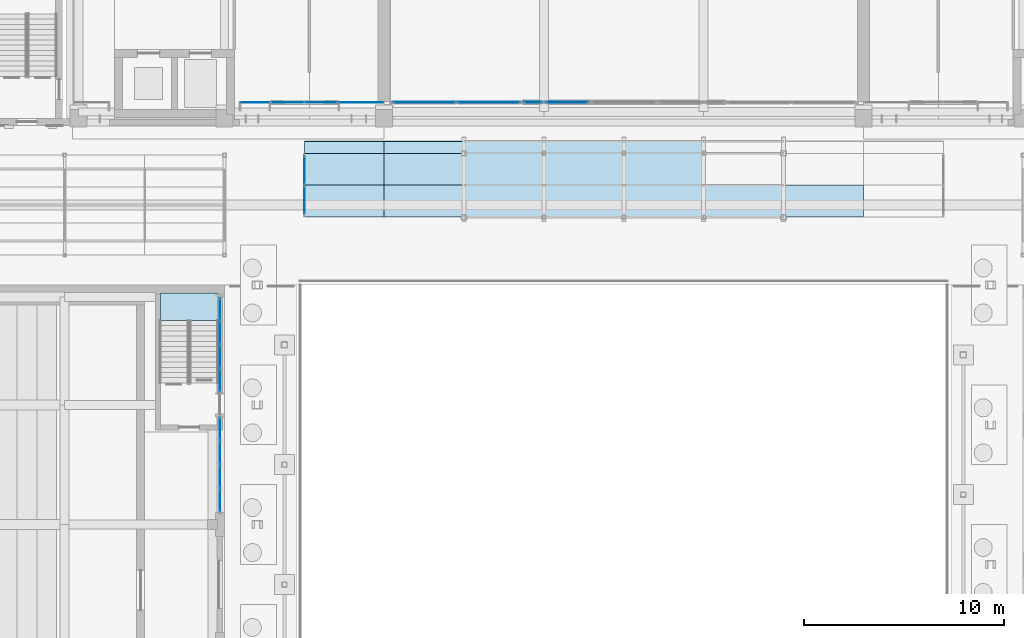
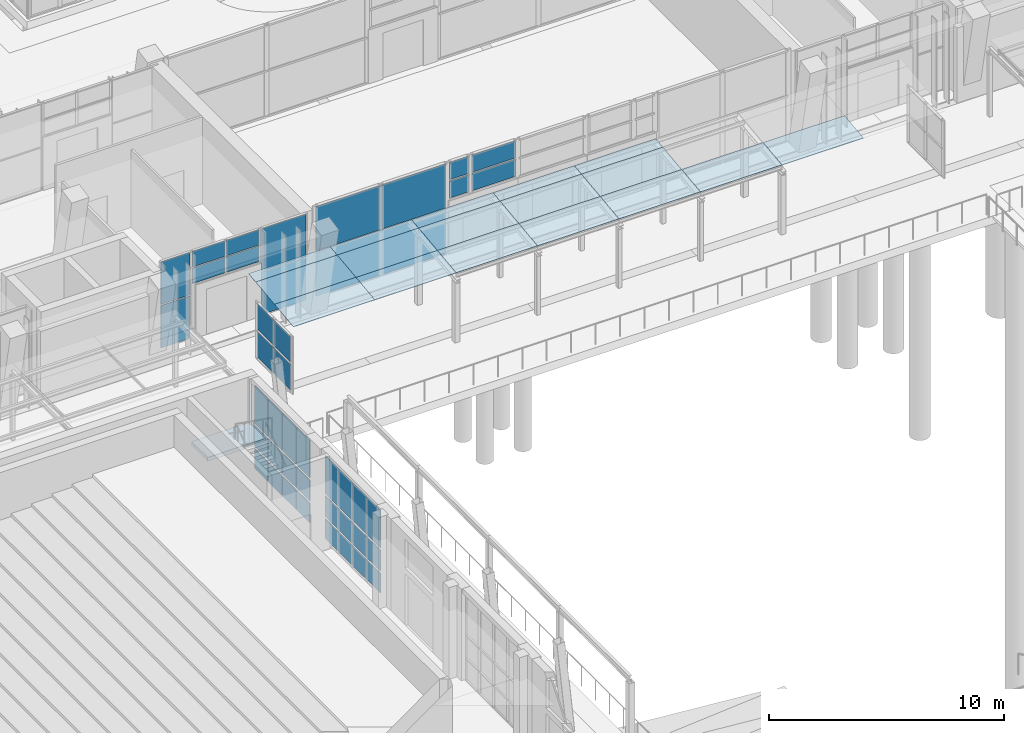
# One storey, part 89 of 144: 61 plates, 1 slab, 10 elements without a shape of their own.
"""IFC4 building model written with IfcOpenShell, lengths in metres."""

from ifc_helpers import new_model, si_unit, direction, frame, origin, origin_2d, place, context, subcontext, project, spatial, polyline, rectangle, outline, extrude, material, layer, layer_set, type_object, element, aggregate, save


model = new_model("IFC4")

# Units and contexts
model_context = context("Model", 3, precision=1e-05, world=origin(), true_north=direction((0.0, 1.0)))
body_context = subcontext(model_context, "Body", "Model", "MODEL_VIEW")
ifc_project = project(units=[si_unit("LENGTHUNIT", "METRE"), si_unit("AREAUNIT", "SQUARE_METRE"), si_unit("VOLUMEUNIT", "CUBIC_METRE"), si_unit("PLANEANGLEUNIT", "RADIAN"), si_unit("MASSUNIT", "GRAM", prefix="KILO")], contexts=[model_context])

# Site, building, storey
site_placement = place(None, origin())
site = spatial("IfcSite", under=ifc_project, at=site_placement, CompositionType="ELEMENT")
building_placement = place(site_placement, origin())
building = spatial("IfcBuilding", under=site, at=building_placement, Name="Lantern Court Media Centre", CompositionType="ELEMENT")
storey_placement = place(building_placement, origin())
storey = spatial("IfcBuildingStorey", under=building, at=storey_placement, Name="L00", CompositionType="ELEMENT", Elevation=0.0)

# Plates
ifc_material_1 = material(Name="Laminated glass 8+8", Category="glass")
ifc_layer_1 = layer(ifc_material_1, 0.031982421875)
ifc_layer_set_1 = layer_set([ifc_layer_1], Name="Laminated glass 8+8")
plate_type_1 = type_object("IfcPlateType", Name="Canopy roof glass 32", PredefinedType="SHEET", material=ifc_layer_set_1)
plate_1_placement = place(storey_placement, frame((36.0, 43.396240234375, 3.53564453125), z_axis=(0.0, -0.11817732015, 0.992992508029), x_axis=(1.0, 0.0, 0.0)))
element("IfcPlate", 1, at=plate_1_placement, inside=storey, type_object=plate_type_1, Name="Entrance canopy glass panel", PredefinedType="SHEET", context=body_context, shape_type="SweptSolid", body=[
    extrude(outline(polyline([(0.0, 0.0), (4.0, 0.0), (4.0, 1.6113894549171193), (0.0, 1.6113894549171193), (0.0, 0.0)])), origin(), (0.0, 0.0, -1.0), 0.031982421875),
])
plate_2_placement = place(storey_placement, frame((36.0, 44.996337890625, 3.72607421875), z_axis=(0.0, -0.118045683032, 0.993008165484), x_axis=(1.0, 0.0, 0.0)))
element("IfcPlate", 2, at=plate_2_placement, inside=storey, type_object=plate_type_1, Name="Entrance canopy glass panel", PredefinedType="SHEET", context=body_context, shape_type="SweptSolid", body=[
    extrude(outline(polyline([(0.0, 0.0), (4.0, 0.0), (4.0, 1.6111181873772684), (0.0, 1.6111181873772684), (0.0, 0.0)])), origin(), (0.0, 0.0, -1.0), 0.031982421875),
])
plate_3_placement = place(storey_placement, frame((36.0, 46.59619140625, 3.916259765625), z_axis=(0.0, -0.118364633013, 0.992970197766), x_axis=(1.0, 0.0, 0.0)))
element("IfcPlate", 3, at=plate_3_placement, inside=storey, type_object=plate_type_1, Name="Entrance canopy glass panel", PredefinedType="SHEET", context=body_context, shape_type="SweptSolid", body=[
    extrude(outline(polyline([(0.0, 0.0), (4.0, 0.0), (4.0, 0.6043460897416858), (0.0, 0.6043460897416858), (0.0, 0.0)])), origin(), (0.0, 0.0, -1.0), 0.031982421875),
])
plate_4_placement = place(storey_placement, frame((40.0, 43.396240234375, 3.53564453125), z_axis=(0.0, -0.11817732015, 0.992992508029), x_axis=(1.0, 0.0, 0.0)))
element("IfcPlate", 4, at=plate_4_placement, inside=storey, type_object=plate_type_1, Name="Entrance canopy glass panel", PredefinedType="SHEET", context=body_context, shape_type="SweptSolid", body=[
    extrude(outline(polyline([(0.0, 0.0), (4.0, 0.0), (4.0, 1.6113894549171193), (0.0, 1.6113894549171193), (0.0, 0.0)])), origin(), (0.0, 0.0, -1.0), 0.031982421875),
])
plate_5_placement = place(storey_placement, frame((40.0, 44.996337890625, 3.72607421875), z_axis=(0.0, -0.118045683032, 0.993008165484), x_axis=(1.0, 0.0, 0.0)))
element("IfcPlate", 5, at=plate_5_placement, inside=storey, type_object=plate_type_1, Name="Entrance canopy glass panel", PredefinedType="SHEET", context=body_context, shape_type="SweptSolid", body=[
    extrude(outline(polyline([(0.0, 0.0), (4.0, 0.0), (4.0, 1.6111181873772684), (0.0, 1.6111181873772684), (0.0, 0.0)])), origin(), (0.0, 0.0, -1.0), 0.031982421875),
])
plate_6_placement = place(storey_placement, frame((40.0, 46.59619140625, 3.916259765625), z_axis=(0.0, -0.118364633013, 0.992970197766), x_axis=(1.0, 0.0, 0.0)))
element("IfcPlate", 6, at=plate_6_placement, inside=storey, type_object=plate_type_1, Name="Entrance canopy glass panel", PredefinedType="SHEET", context=body_context, shape_type="SweptSolid", body=[
    extrude(outline(polyline([(0.0, 0.0), (4.0, 0.0), (4.0, 0.6043460897416858), (0.0, 0.6043460897416858), (0.0, 0.0)])), origin(), (0.0, 0.0, -1.0), 0.031982421875),
])
plate_7_placement = place(storey_placement, frame((44.0, 43.396240234375, 3.53564453125), z_axis=(0.0, -0.11817732015, 0.992992508029), x_axis=(1.0, 0.0, 0.0)))
element("IfcPlate", 7, at=plate_7_placement, inside=storey, type_object=plate_type_1, Name="Entrance canopy glass panel", PredefinedType="SHEET", context=body_context, shape_type="SweptSolid", body=[
    extrude(outline(polyline([(0.0, 0.0), (4.0, 0.0), (4.0, 1.6113894549171193), (0.0, 1.6113894549171193), (0.0, 0.0)])), origin(), (0.0, 0.0, -1.0), 0.031982421875),
])
plate_8_placement = place(storey_placement, frame((44.0, 44.996337890625, 3.72607421875), z_axis=(0.0, -0.118045683032, 0.993008165484), x_axis=(1.0, 0.0, 0.0)))
element("IfcPlate", 8, at=plate_8_placement, inside=storey, type_object=plate_type_1, Name="Entrance canopy glass panel", PredefinedType="SHEET", context=body_context, shape_type="SweptSolid", body=[
    extrude(outline(polyline([(0.0, 0.0), (4.0, 0.0), (4.0, 1.6111181873772684), (0.0, 1.6111181873772684), (0.0, 0.0)])), origin(), (0.0, 0.0, -1.0), 0.031982421875),
])
plate_9_placement = place(storey_placement, frame((44.0, 46.59619140625, 3.916259765625), z_axis=(0.0, -0.118364633013, 0.992970197766), x_axis=(1.0, 0.0, 0.0)))
element("IfcPlate", 9, at=plate_9_placement, inside=storey, type_object=plate_type_1, Name="Entrance canopy glass panel", PredefinedType="SHEET", context=body_context, shape_type="SweptSolid", body=[
    extrude(outline(polyline([(0.0, 0.0), (4.0, 0.0), (4.0, 0.6043460897416858), (0.0, 0.6043460897416858), (0.0, 0.0)])), origin(), (0.0, 0.0, -1.0), 0.031982421875),
])
plate_10_placement = place(storey_placement, frame((48.0, 43.396240234375, 3.53564453125), z_axis=(0.0, -0.11817732015, 0.992992508029), x_axis=(1.0, 0.0, 0.0)))
element("IfcPlate", 10, at=plate_10_placement, inside=storey, type_object=plate_type_1, Name="Entrance canopy glass panel", PredefinedType="SHEET", context=body_context, shape_type="SweptSolid", body=[
    extrude(outline(polyline([(0.0, 0.0), (4.0, 0.0), (4.0, 1.6113894549171193), (0.0, 1.6113894549171193), (0.0, 0.0)])), origin(), (0.0, 0.0, -1.0), 0.031982421875),
])
plate_11_placement = place(storey_placement, frame((48.0, 44.996337890625, 3.72607421875), z_axis=(0.0, -0.118045683032, 0.993008165484), x_axis=(1.0, 0.0, 0.0)))
element("IfcPlate", 11, at=plate_11_placement, inside=storey, type_object=plate_type_1, Name="Entrance canopy glass panel", PredefinedType="SHEET", context=body_context, shape_type="SweptSolid", body=[
    extrude(outline(polyline([(0.0, 0.0), (4.0, 0.0), (4.0, 1.6111181873772684), (0.0, 1.6111181873772684), (0.0, 0.0)])), origin(), (0.0, 0.0, -1.0), 0.031982421875),
])
plate_12_placement = place(storey_placement, frame((48.0, 46.59619140625, 3.916259765625), z_axis=(0.0, -0.118364633013, 0.992970197766), x_axis=(1.0, 0.0, 0.0)))
element("IfcPlate", 12, at=plate_12_placement, inside=storey, type_object=plate_type_1, Name="Entrance canopy glass panel", PredefinedType="SHEET", context=body_context, shape_type="SweptSolid", body=[
    extrude(outline(polyline([(0.0, 0.0), (4.0, 0.0), (4.0, 0.6043460897416858), (0.0, 0.6043460897416858), (0.0, 0.0)])), origin(), (0.0, 0.0, -1.0), 0.031982421875),
])
plate_13_placement = place(storey_placement, frame((52.0, 43.396240234375, 3.53564453125), z_axis=(0.0, -0.11817732015, 0.992992508029), x_axis=(1.0, 0.0, 0.0)))
element("IfcPlate", 13, at=plate_13_placement, inside=storey, type_object=plate_type_1, Name="Entrance canopy glass panel", PredefinedType="SHEET", context=body_context, shape_type="SweptSolid", body=[
    extrude(outline(polyline([(0.0, 0.0), (4.0, 0.0), (4.0, 1.6113894549171193), (0.0, 1.6113894549171193), (0.0, 0.0)])), origin(), (0.0, 0.0, -1.0), 0.031982421875),
])
plate_14_placement = place(storey_placement, frame((52.0, 44.996337890625, 3.72607421875), z_axis=(0.0, -0.118045683032, 0.993008165484), x_axis=(1.0, 0.0, 0.0)))
element("IfcPlate", 14, at=plate_14_placement, inside=storey, type_object=plate_type_1, Name="Entrance canopy glass panel", PredefinedType="SHEET", context=body_context, shape_type="SweptSolid", body=[
    extrude(outline(polyline([(0.0, 0.0), (4.0, 0.0), (4.0, 1.6111181873772684), (0.0, 1.6111181873772684), (0.0, 0.0)])), origin(), (0.0, 0.0, -1.0), 0.031982421875),
])
plate_15_placement = place(storey_placement, frame((52.0, 46.59619140625, 3.916259765625), z_axis=(0.0, -0.118364633013, 0.992970197766), x_axis=(1.0, 0.0, 0.0)))
element("IfcPlate", 15, at=plate_15_placement, inside=storey, type_object=plate_type_1, Name="Entrance canopy glass panel", PredefinedType="SHEET", context=body_context, shape_type="SweptSolid", body=[
    extrude(outline(polyline([(0.0, 0.0), (4.0, 0.0), (4.0, 0.6043460897416858), (0.0, 0.6043460897416858), (0.0, 0.0)])), origin(), (0.0, 0.0, -1.0), 0.031982421875),
])
for number, where, z_axis, x_axis, name in (
    (16, (56.0, 43.396240234375, 3.53564453125), (0.0, -0.11817732015, 0.992992508029), (1.0, 0.0, 0.0), "Entrance canopy glass panel"),
    (17, (60.0, 43.396240234375, 3.53564453125), (0.0, -0.11817732015, 0.992992508029), (1.0, 0.0, 0.0), "Entrance canopy glass panel"),
):
    element("IfcPlate", number, at=place(storey_placement, frame(where, z_axis=z_axis, x_axis=x_axis)), inside=storey, type_object=plate_type_1, Name=name, PredefinedType="SHEET", context=body_context, shape_type="SweptSolid", body=[
        extrude(outline(polyline([(0.0, 0.0), (4.0, 0.0), (4.0, 1.6113894549171193), (0.0, 1.6113894549171193), (0.0, 0.0)])), origin(), (0.0, 0.0, -1.0), 0.031982421875),
    ])

# Curtain wall, plates
ifc_material_2 = material(Name="Curtain wall bay 3000")
curtain_wall_type_1 = type_object("IfcCurtainWallType", Name="Curtain wall bay 3000", PredefinedType="NOTDEFINED", material=ifc_material_2)
curtain_wall_1_placement = place(storey_placement, origin())
curtain_wall_1 = element("IfcCurtainWall", 18, at=curtain_wall_1_placement, inside=storey, type_object=curtain_wall_type_1, Name="Curtain wall S outer L00", PredefinedType="NOTDEFINED")
ifc_material_3 = material(Name="Low-iron double glazed unit glass", Category="glass")
ifc_layer_2 = layer(ifc_material_3, 0.028076171875)
ifc_layer_set_2 = layer_set([ifc_layer_2], Name="Low-iron double glazed unit glass")
plate_type_2 = type_object("IfcPlateType", Name="Curtain wall glazing unit 28", PredefinedType="CURTAIN_PANEL", material=ifc_layer_set_2)
plate_16_placement = place(storey_placement, frame((33.52490234375, 49.14990234375, 0.06005859375), z_axis=(0.0, 0.0, 1.0), x_axis=(1.0, 0.0, 0.0)))
plate_16 = element("IfcPlate", 19, at=plate_16_placement, type_object=plate_type_2, Name="CW1 panel 1.1", PredefinedType="CURTAIN_PANEL", context=body_context, shape_type="SweptSolid", body=[
    extrude(rectangle(XDim=1.429931640625, YDim=0.028076171875, at=origin_2d()), origin(), (0.0, 0.0, 1.0), 2.199951171875),
])
plate_17_placement = place(storey_placement, frame((33.52490234375, 49.14990234375, 2.31982421875), z_axis=(0.0, 0.0, 1.0), x_axis=(1.0, 0.0, 0.0)))
plate_17 = element("IfcPlate", 20, at=plate_17_placement, type_object=plate_type_2, Name="CW1 panel 1.2", PredefinedType="CURTAIN_PANEL", context=body_context, shape_type="SweptSolid", body=[
    extrude(rectangle(XDim=1.429931640625, YDim=0.028076171875, at=origin_2d()), origin(), (0.0, 0.0, 1.0), 2.199951171875),
])
aggregate(curtain_wall_1, [plate_16, plate_17])

curtain_wall_2_placement = place(storey_placement, origin())
curtain_wall_2 = element("IfcCurtainWall", 21, at=curtain_wall_2_placement, inside=storey, type_object=curtain_wall_type_1, Name="Curtain wall S outer L00", PredefinedType="NOTDEFINED")
plate_18_placement = place(storey_placement, frame((38.85009765625, 49.14990234375, 0.06005859375), z_axis=(0.0, 0.0, 1.0), x_axis=(1.0, 0.0, 0.0)))
plate_18 = element("IfcPlate", 22, at=plate_18_placement, type_object=plate_type_2, Name="CW1 panel 1.1", PredefinedType="CURTAIN_PANEL", context=body_context, shape_type="SweptSolid", body=[
    extrude(rectangle(XDim=2.179931640625, YDim=0.028076171875, at=origin_2d()), origin(), (0.0, 0.0, 1.0), 2.199951171875),
])
plate_19_placement = place(storey_placement, frame((38.85009765625, 49.14990234375, 2.31982421875), z_axis=(0.0, 0.0, 1.0), x_axis=(1.0, 0.0, 0.0)))
plate_19 = element("IfcPlate", 23, at=plate_19_placement, type_object=plate_type_2, Name="CW1 panel 1.2", PredefinedType="CURTAIN_PANEL", context=body_context, shape_type="SweptSolid", body=[
    extrude(rectangle(XDim=2.179931640625, YDim=0.028076171875, at=origin_2d()), origin(), (0.0, 0.0, 1.0), 2.199951171875),
])
aggregate(curtain_wall_2, [plate_18, plate_19])

ifc_material_4 = material(Name="Curtain wall bay 1700")
curtain_wall_type_2 = type_object("IfcCurtainWallType", Name="Curtain wall bay 1700", PredefinedType="NOTDEFINED", material=ifc_material_4)
curtain_wall_3_placement = place(storey_placement, origin())
curtain_wall_3 = element("IfcCurtainWall", 24, at=curtain_wall_3_placement, inside=storey, type_object=curtain_wall_type_2, Name="Curtain wall S outer L00", PredefinedType="NOTDEFINED")
plate_20_placement = place(storey_placement, frame((35.1650390625, 49.14990234375, 2.85986328125), z_axis=(0.0, 0.0, 1.0), x_axis=(1.0, 0.0, 0.0)))
plate_20 = element("IfcPlate", 25, at=plate_20_placement, type_object=plate_type_2, Name="CW4 panel 1.1", PredefinedType="CURTAIN_PANEL", context=body_context, shape_type="SweptSolid", body=[
    extrude(rectangle(XDim=1.610107421875, YDim=0.028076171875, at=origin_2d()), origin(), (0.0, 0.0, 1.0), 0.800048828125),
])
plate_21_placement = place(storey_placement, frame((35.1650390625, 49.14990234375, 3.72021484375), z_axis=(0.0, 0.0, 1.0), x_axis=(1.0, 0.0, 0.0)))
plate_21 = element("IfcPlate", 26, at=plate_21_placement, type_object=plate_type_2, Name="CW4 panel 1.2", PredefinedType="CURTAIN_PANEL", context=body_context, shape_type="SweptSolid", body=[
    extrude(rectangle(XDim=1.610107421875, YDim=0.028076171875, at=origin_2d()), origin(), (0.0, 0.0, 1.0), 0.800048828125),
])
plate_22_placement = place(storey_placement, frame((36.8349609375, 49.14990234375, 2.85986328125), z_axis=(0.0, 0.0, 1.0), x_axis=(1.0, 0.0, 0.0)))
plate_22 = element("IfcPlate", 27, at=plate_22_placement, type_object=plate_type_2, Name="CW4 panel 2.1", PredefinedType="CURTAIN_PANEL", context=body_context, shape_type="SweptSolid", body=[
    extrude(rectangle(XDim=1.610107421875, YDim=0.028076171875, at=origin_2d()), origin(), (0.0, 0.0, 1.0), 0.800048828125),
])
plate_23_placement = place(storey_placement, frame((36.8349609375, 49.14990234375, 3.72021484375), z_axis=(0.0, 0.0, 1.0), x_axis=(1.0, 0.0, 0.0)))
plate_23 = element("IfcPlate", 28, at=plate_23_placement, type_object=plate_type_2, Name="CW4 panel 2.2", PredefinedType="CURTAIN_PANEL", context=body_context, shape_type="SweptSolid", body=[
    extrude(rectangle(XDim=1.610107421875, YDim=0.028076171875, at=origin_2d()), origin(), (0.0, 0.0, 1.0), 0.800048828125),
])
aggregate(curtain_wall_3, [plate_20, plate_21, plate_22, plate_23])

ifc_material_5 = material(Name="Curtain wall bay 4000")
curtain_wall_type_3 = type_object("IfcCurtainWallType", Name="Curtain wall bay 4000", PredefinedType="NOTDEFINED", material=ifc_material_5)
curtain_wall_4_placement = place(storey_placement, origin())
curtain_wall_4 = element("IfcCurtainWall", 29, at=curtain_wall_4_placement, inside=storey, type_object=curtain_wall_type_3, Name="Curtain wall S outer L00", PredefinedType="NOTDEFINED")
ifc_material_6 = material(Name="Laminated low-iron glass", Category="glass")
ifc_layer_3 = layer(ifc_material_6, 0.0400390625)
ifc_layer_set_3 = layer_set([ifc_layer_3], Name="Laminated low-iron glass")
plate_type_3 = type_object("IfcPlateType", Name="Curtain wall glazing unit 40", PredefinedType="CURTAIN_PANEL", material=ifc_layer_set_3)
plate_24_placement = place(storey_placement, frame((42.007568359375, 49.14990234375, 0.080078125), z_axis=(0.0, 0.0, 1.0), x_axis=(1.0, 0.0, 0.0)))
plate_24 = element("IfcPlate", 30, at=plate_24_placement, type_object=plate_type_3, Name="CW3 panel 1.1", PredefinedType="CURTAIN_PANEL", context=body_context, shape_type="SweptSolid", body=[
    extrude(rectangle(XDim=3.155029296875, YDim=0.0400390625, at=origin_2d()), origin(), (0.0, 0.0, 1.0), 2.280029296875),
])
plate_25_placement = place(storey_placement, frame((42.007568359375, 49.14990234375, 2.43994140625), z_axis=(0.0, 0.0, 1.0), x_axis=(1.0, 0.0, 0.0)))
plate_25 = element("IfcPlate", 31, at=plate_25_placement, type_object=plate_type_3, Name="CW3 panel 1.2", PredefinedType="CURTAIN_PANEL", context=body_context, shape_type="SweptSolid", body=[
    extrude(rectangle(XDim=3.155029296875, YDim=0.0400390625, at=origin_2d()), origin(), (0.0, 0.0, 1.0), 2.280029296875),
])
plate_26_placement = place(storey_placement, frame((45.242431640625, 49.14990234375, 0.080078125), z_axis=(0.0, 0.0, 1.0), x_axis=(1.0, 0.0, 0.0)))
plate_26 = element("IfcPlate", 32, at=plate_26_placement, type_object=plate_type_3, Name="CW3 panel 2.1", PredefinedType="CURTAIN_PANEL", context=body_context, shape_type="SweptSolid", body=[
    extrude(rectangle(XDim=3.155029296875, YDim=0.0400390625, at=origin_2d()), origin(), (0.0, 0.0, 1.0), 2.280029296875),
])
plate_27_placement = place(storey_placement, frame((45.242431640625, 49.14990234375, 2.43994140625), z_axis=(0.0, 0.0, 1.0), x_axis=(1.0, 0.0, 0.0)))
plate_27 = element("IfcPlate", 33, at=plate_27_placement, type_object=plate_type_3, Name="CW3 panel 2.2", PredefinedType="CURTAIN_PANEL", context=body_context, shape_type="SweptSolid", body=[
    extrude(rectangle(XDim=3.155029296875, YDim=0.0400390625, at=origin_2d()), origin(), (0.0, 0.0, 1.0), 2.280029296875),
])
aggregate(curtain_wall_4, [plate_24, plate_25, plate_26, plate_27])

curtain_wall_5_placement = place(storey_placement, origin())
curtain_wall_5 = element("IfcCurtainWall", 34, at=curtain_wall_5_placement, inside=storey, type_object=curtain_wall_type_3, Name="Curtain wall S outer L00", PredefinedType="NOTDEFINED")
plate_28_placement = place(storey_placement, frame((47.449951171875, 49.14990234375, 2.880126953125), z_axis=(0.0, 0.0, 1.0), x_axis=(1.0, 0.0, 0.0)))
plate_28 = element("IfcPlate", 35, at=plate_28_placement, type_object=plate_type_3, Name="CW3 panel 1.1", PredefinedType="CURTAIN_PANEL", context=body_context, shape_type="SweptSolid", body=[
    extrude(rectangle(XDim=0.93994140625, YDim=0.0400390625, at=origin_2d()), origin(), (0.0, 0.0, 1.0), 0.8798828125),
])
plate_29_placement = place(storey_placement, frame((47.449951171875, 49.14990234375, 3.840087890625), z_axis=(0.0, 0.0, 1.0), x_axis=(1.0, 0.0, 0.0)))
plate_29 = element("IfcPlate", 36, at=plate_29_placement, type_object=plate_type_3, Name="CW3 panel 1.2", PredefinedType="CURTAIN_PANEL", context=body_context, shape_type="SweptSolid", body=[
    extrude(rectangle(XDim=0.93994140625, YDim=0.0400390625, at=origin_2d()), origin(), (0.0, 0.0, 1.0), 0.8798828125),
])
aggregate(curtain_wall_5, [plate_28, plate_29])

curtain_wall_6_placement = place(storey_placement, origin())
curtain_wall_6 = element("IfcCurtainWall", 37, at=curtain_wall_6_placement, inside=storey, type_object=curtain_wall_type_3, Name="Curtain wall S outer L00", PredefinedType="NOTDEFINED")
plate_30_placement = place(storey_placement, frame((49.14990234375, 49.14990234375, 2.880126953125), z_axis=(0.0, 0.0, 1.0), x_axis=(1.0, 0.0, 0.0)))
plate_30 = element("IfcPlate", 38, at=plate_30_placement, type_object=plate_type_3, Name="CW3 panel 1.1", PredefinedType="CURTAIN_PANEL", context=body_context, shape_type="SweptSolid", body=[
    extrude(rectangle(XDim=2.139892578125, YDim=0.0400390625, at=origin_2d()), origin(), (0.0, 0.0, 1.0), 0.8798828125),
])
plate_31_placement = place(storey_placement, frame((49.14990234375, 49.14990234375, 3.840087890625), z_axis=(0.0, 0.0, 1.0), x_axis=(1.0, 0.0, 0.0)))
plate_31 = element("IfcPlate", 39, at=plate_31_placement, type_object=plate_type_3, Name="CW3 panel 1.2", PredefinedType="CURTAIN_PANEL", context=body_context, shape_type="SweptSolid", body=[
    extrude(rectangle(XDim=2.139892578125, YDim=0.0400390625, at=origin_2d()), origin(), (0.0, 0.0, 1.0), 0.8798828125),
])
aggregate(curtain_wall_6, [plate_30, plate_31])

ifc_material_7 = material(Name="Aluminium and glass", Category="aluminium")
ifc_layer_4 = layer(ifc_material_7, 0.14990234375)
ifc_layer_set_4 = layer_set([ifc_layer_4], Name="Aluminium and glass")
curtain_wall_type_4 = type_object("IfcCurtainWallType", Name="Hall lancet glazing", PredefinedType="NOTDEFINED", material=ifc_layer_set_4)
curtain_wall_7_placement = place(storey_placement, origin())
curtain_wall_7 = element("IfcCurtainWall", 40, at=curtain_wall_7_placement, inside=storey, type_object=curtain_wall_type_4, Name="Cinema Hall foyer glazing 6", PredefinedType="NOTDEFINED")
ifc_material_8 = material(Name="Laminated glass 6+6", Category="glass")
ifc_layer_5 = layer(ifc_material_8, 0.028076171875)
ifc_layer_set_5 = layer_set([ifc_layer_5], Name="Laminated glass 6+6")
plate_type_4 = type_object("IfcPlateType", Name="HP", PredefinedType="CURTAIN_PANEL", material=ifc_layer_set_5)
plate_32_placement = place(storey_placement, frame((31.77490234375, 29.215087890625, 0.119873046875), z_axis=(0.0, 0.0, 1.0), x_axis=(0.0, 1.0, 0.0)))
plate_32 = element("IfcPlate", 41, at=plate_32_placement, type_object=plate_type_4, Name="HCW-V16 panel 1.1", PredefinedType="CURTAIN_PANEL", context=body_context, shape_type="SweptSolid", body=[
    extrude(rectangle(XDim=1.110107421875, YDim=0.028076171875, at=origin_2d()), origin(), (0.0, 0.0, 1.0), 1.02001953125),
])
plate_33_placement = place(storey_placement, frame((31.77490234375, 29.215087890625, 1.260009765625), z_axis=(0.0, 0.0, 1.0), x_axis=(0.0, 1.0, 0.0)))
plate_33 = element("IfcPlate", 42, at=plate_33_placement, type_object=plate_type_4, Name="HCW-V16 panel 1.2", PredefinedType="CURTAIN_PANEL", context=body_context, shape_type="SweptSolid", body=[
    extrude(rectangle(XDim=1.110107421875, YDim=0.028076171875, at=origin_2d()), origin(), (0.0, 0.0, 1.0), 1.080078125),
])
plate_34_placement = place(storey_placement, frame((31.77490234375, 29.215087890625, 2.4599609375), z_axis=(0.0, 0.0, 1.0), x_axis=(0.0, 1.0, 0.0)))
plate_34 = element("IfcPlate", 43, at=plate_34_placement, type_object=plate_type_4, Name="HCW-V16 panel 1.3", PredefinedType="CURTAIN_PANEL", context=body_context, shape_type="SweptSolid", body=[
    extrude(rectangle(XDim=1.110107421875, YDim=0.028076171875, at=origin_2d()), origin(), (0.0, 0.0, 1.0), 1.969970703125),
])
plate_35_placement = place(storey_placement, frame((31.77490234375, 30.39990234375, 0.119873046875), z_axis=(0.0, 0.0, 1.0), x_axis=(0.0, 1.0, 0.0)))
plate_35 = element("IfcPlate", 44, at=plate_35_placement, type_object=plate_type_4, Name="HCW-V16 panel 2.1", PredefinedType="CURTAIN_PANEL", context=body_context, shape_type="SweptSolid", body=[
    extrude(rectangle(XDim=1.139892578125, YDim=0.028076171875, at=origin_2d()), origin(), (0.0, 0.0, 1.0), 1.02001953125),
])
plate_36_placement = place(storey_placement, frame((31.77490234375, 30.39990234375, 1.260009765625), z_axis=(0.0, 0.0, 1.0), x_axis=(0.0, 1.0, 0.0)))
plate_36 = element("IfcPlate", 45, at=plate_36_placement, type_object=plate_type_4, Name="HCW-V16 panel 2.2", PredefinedType="CURTAIN_PANEL", context=body_context, shape_type="SweptSolid", body=[
    extrude(rectangle(XDim=1.139892578125, YDim=0.028076171875, at=origin_2d()), origin(), (0.0, 0.0, 1.0), 1.080078125),
])
plate_37_placement = place(storey_placement, frame((31.77490234375, 30.39990234375, 2.4599609375), z_axis=(0.0, 0.0, 1.0), x_axis=(0.0, 1.0, 0.0)))
plate_37 = element("IfcPlate", 46, at=plate_37_placement, type_object=plate_type_4, Name="HCW-V16 panel 2.3", PredefinedType="CURTAIN_PANEL", context=body_context, shape_type="SweptSolid", body=[
    extrude(rectangle(XDim=1.139892578125, YDim=0.028076171875, at=origin_2d()), origin(), (0.0, 0.0, 1.0), 1.969970703125),
])
plate_38_placement = place(storey_placement, frame((31.77490234375, 31.60009765625, 0.119873046875), z_axis=(0.0, 0.0, 1.0), x_axis=(0.0, 1.0, 0.0)))
plate_38 = element("IfcPlate", 47, at=plate_38_placement, type_object=plate_type_4, Name="HCW-V16 panel 3.1", PredefinedType="CURTAIN_PANEL", context=body_context, shape_type="SweptSolid", body=[
    extrude(rectangle(XDim=1.139892578125, YDim=0.028076171875, at=origin_2d()), origin(), (0.0, 0.0, 1.0), 1.02001953125),
])
plate_39_placement = place(storey_placement, frame((31.77490234375, 31.60009765625, 1.260009765625), z_axis=(0.0, 0.0, 1.0), x_axis=(0.0, 1.0, 0.0)))
plate_39 = element("IfcPlate", 48, at=plate_39_placement, type_object=plate_type_4, Name="HCW-V16 panel 3.2", PredefinedType="CURTAIN_PANEL", context=body_context, shape_type="SweptSolid", body=[
    extrude(rectangle(XDim=1.139892578125, YDim=0.028076171875, at=origin_2d()), origin(), (0.0, 0.0, 1.0), 1.080078125),
])
plate_40_placement = place(storey_placement, frame((31.77490234375, 31.60009765625, 2.4599609375), z_axis=(0.0, 0.0, 1.0), x_axis=(0.0, 1.0, 0.0)))
plate_40 = element("IfcPlate", 49, at=plate_40_placement, type_object=plate_type_4, Name="HCW-V16 panel 3.3", PredefinedType="CURTAIN_PANEL", context=body_context, shape_type="SweptSolid", body=[
    extrude(rectangle(XDim=1.139892578125, YDim=0.028076171875, at=origin_2d()), origin(), (0.0, 0.0, 1.0), 1.969970703125),
])
plate_41_placement = place(storey_placement, frame((31.77490234375, 32.784912109375, 0.119873046875), z_axis=(0.0, 0.0, 1.0), x_axis=(0.0, 1.0, 0.0)))
plate_41 = element("IfcPlate", 50, at=plate_41_placement, type_object=plate_type_4, Name="HCW-V16 panel 4.1", PredefinedType="CURTAIN_PANEL", context=body_context, shape_type="SweptSolid", body=[
    extrude(rectangle(XDim=1.110107421875, YDim=0.028076171875, at=origin_2d()), origin(), (0.0, 0.0, 1.0), 1.02001953125),
])
plate_42_placement = place(storey_placement, frame((31.77490234375, 32.784912109375, 1.260009765625), z_axis=(0.0, 0.0, 1.0), x_axis=(0.0, 1.0, 0.0)))
plate_42 = element("IfcPlate", 51, at=plate_42_placement, type_object=plate_type_4, Name="HCW-V16 panel 4.2", PredefinedType="CURTAIN_PANEL", context=body_context, shape_type="SweptSolid", body=[
    extrude(rectangle(XDim=1.110107421875, YDim=0.028076171875, at=origin_2d()), origin(), (0.0, 0.0, 1.0), 1.080078125),
])
plate_43_placement = place(storey_placement, frame((31.77490234375, 32.784912109375, 2.4599609375), z_axis=(0.0, 0.0, 1.0), x_axis=(0.0, 1.0, 0.0)))
plate_43 = element("IfcPlate", 52, at=plate_43_placement, type_object=plate_type_4, Name="HCW-V16 panel 4.3", PredefinedType="CURTAIN_PANEL", context=body_context, shape_type="SweptSolid", body=[
    extrude(rectangle(XDim=1.110107421875, YDim=0.028076171875, at=origin_2d()), origin(), (0.0, 0.0, 1.0), 1.969970703125),
])
aggregate(curtain_wall_7, [plate_32, plate_33, plate_34, plate_35, plate_36, plate_37, plate_38, plate_39, plate_40, plate_41, plate_42, plate_43])

curtain_wall_8_placement = place(storey_placement, origin())
curtain_wall_8 = element("IfcCurtainWall", 53, at=curtain_wall_8_placement, inside=storey, type_object=curtain_wall_type_4, Name="Cinema Hall foyer glazing 7", PredefinedType="NOTDEFINED")
plate_44_placement = place(storey_placement, frame((31.77490234375, 35.215087890625, 0.119873046875), z_axis=(0.0, 0.0, 1.0), x_axis=(0.0, 1.0, 0.0)))
plate_44 = element("IfcPlate", 54, at=plate_44_placement, type_object=plate_type_4, Name="HCW-V17 panel 1.1", PredefinedType="CURTAIN_PANEL", context=body_context, shape_type="SweptSolid", body=[
    extrude(rectangle(XDim=1.110107421875, YDim=0.028076171875, at=origin_2d()), origin(), (0.0, 0.0, 1.0), 1.02001953125),
])
plate_45_placement = place(storey_placement, frame((31.77490234375, 35.215087890625, 1.260009765625), z_axis=(0.0, 0.0, 1.0), x_axis=(0.0, 1.0, 0.0)))
plate_45 = element("IfcPlate", 55, at=plate_45_placement, type_object=plate_type_4, Name="HCW-V17 panel 1.2", PredefinedType="CURTAIN_PANEL", context=body_context, shape_type="SweptSolid", body=[
    extrude(rectangle(XDim=1.110107421875, YDim=0.028076171875, at=origin_2d()), origin(), (0.0, 0.0, 1.0), 1.080078125),
])
plate_46_placement = place(storey_placement, frame((31.77490234375, 35.215087890625, 2.4599609375), z_axis=(0.0, 0.0, 1.0), x_axis=(0.0, 1.0, 0.0)))
plate_46 = element("IfcPlate", 56, at=plate_46_placement, type_object=plate_type_4, Name="HCW-V17 panel 1.3", PredefinedType="CURTAIN_PANEL", context=body_context, shape_type="SweptSolid", body=[
    extrude(rectangle(XDim=1.110107421875, YDim=0.028076171875, at=origin_2d()), origin(), (0.0, 0.0, 1.0), 1.969970703125),
])
plate_47_placement = place(storey_placement, frame((31.77490234375, 36.39990234375, 0.119873046875), z_axis=(0.0, 0.0, 1.0), x_axis=(0.0, 1.0, 0.0)))
plate_47 = element("IfcPlate", 57, at=plate_47_placement, type_object=plate_type_4, Name="HCW-V17 panel 2.1", PredefinedType="CURTAIN_PANEL", context=body_context, shape_type="SweptSolid", body=[
    extrude(rectangle(XDim=1.139892578125, YDim=0.028076171875, at=origin_2d()), origin(), (0.0, 0.0, 1.0), 1.02001953125),
])
plate_48_placement = place(storey_placement, frame((31.77490234375, 36.39990234375, 1.260009765625), z_axis=(0.0, 0.0, 1.0), x_axis=(0.0, 1.0, 0.0)))
plate_48 = element("IfcPlate", 58, at=plate_48_placement, type_object=plate_type_4, Name="HCW-V17 panel 2.2", PredefinedType="CURTAIN_PANEL", context=body_context, shape_type="SweptSolid", body=[
    extrude(rectangle(XDim=1.139892578125, YDim=0.028076171875, at=origin_2d()), origin(), (0.0, 0.0, 1.0), 1.080078125),
])
plate_49_placement = place(storey_placement, frame((31.77490234375, 36.39990234375, 2.4599609375), z_axis=(0.0, 0.0, 1.0), x_axis=(0.0, 1.0, 0.0)))
plate_49 = element("IfcPlate", 59, at=plate_49_placement, type_object=plate_type_4, Name="HCW-V17 panel 2.3", PredefinedType="CURTAIN_PANEL", context=body_context, shape_type="SweptSolid", body=[
    extrude(rectangle(XDim=1.139892578125, YDim=0.028076171875, at=origin_2d()), origin(), (0.0, 0.0, 1.0), 1.969970703125),
])
plate_50_placement = place(storey_placement, frame((31.77490234375, 37.60009765625, 0.119873046875), z_axis=(0.0, 0.0, 1.0), x_axis=(0.0, 1.0, 0.0)))
plate_50 = element("IfcPlate", 60, at=plate_50_placement, type_object=plate_type_4, Name="HCW-V17 panel 3.1", PredefinedType="CURTAIN_PANEL", context=body_context, shape_type="SweptSolid", body=[
    extrude(rectangle(XDim=1.139892578125, YDim=0.028076171875, at=origin_2d()), origin(), (0.0, 0.0, 1.0), 1.02001953125),
])
plate_51_placement = place(storey_placement, frame((31.77490234375, 37.60009765625, 1.260009765625), z_axis=(0.0, 0.0, 1.0), x_axis=(0.0, 1.0, 0.0)))
plate_51 = element("IfcPlate", 61, at=plate_51_placement, type_object=plate_type_4, Name="HCW-V17 panel 3.2", PredefinedType="CURTAIN_PANEL", context=body_context, shape_type="SweptSolid", body=[
    extrude(rectangle(XDim=1.139892578125, YDim=0.028076171875, at=origin_2d()), origin(), (0.0, 0.0, 1.0), 1.080078125),
])
plate_52_placement = place(storey_placement, frame((31.77490234375, 37.60009765625, 2.4599609375), z_axis=(0.0, 0.0, 1.0), x_axis=(0.0, 1.0, 0.0)))
plate_52 = element("IfcPlate", 62, at=plate_52_placement, type_object=plate_type_4, Name="HCW-V17 panel 3.3", PredefinedType="CURTAIN_PANEL", context=body_context, shape_type="SweptSolid", body=[
    extrude(rectangle(XDim=1.139892578125, YDim=0.028076171875, at=origin_2d()), origin(), (0.0, 0.0, 1.0), 1.969970703125),
])
plate_53_placement = place(storey_placement, frame((31.77490234375, 38.784912109375, 0.119873046875), z_axis=(0.0, 0.0, 1.0), x_axis=(0.0, 1.0, 0.0)))
plate_53 = element("IfcPlate", 63, at=plate_53_placement, type_object=plate_type_4, Name="HCW-V17 panel 4.1", PredefinedType="CURTAIN_PANEL", context=body_context, shape_type="SweptSolid", body=[
    extrude(rectangle(XDim=1.110107421875, YDim=0.028076171875, at=origin_2d()), origin(), (0.0, 0.0, 1.0), 1.02001953125),
])
plate_54_placement = place(storey_placement, frame((31.77490234375, 38.784912109375, 1.260009765625), z_axis=(0.0, 0.0, 1.0), x_axis=(0.0, 1.0, 0.0)))
plate_54 = element("IfcPlate", 64, at=plate_54_placement, type_object=plate_type_4, Name="HCW-V17 panel 4.2", PredefinedType="CURTAIN_PANEL", context=body_context, shape_type="SweptSolid", body=[
    extrude(rectangle(XDim=1.110107421875, YDim=0.028076171875, at=origin_2d()), origin(), (0.0, 0.0, 1.0), 1.080078125),
])
plate_55_placement = place(storey_placement, frame((31.77490234375, 38.784912109375, 2.4599609375), z_axis=(0.0, 0.0, 1.0), x_axis=(0.0, 1.0, 0.0)))
plate_55 = element("IfcPlate", 65, at=plate_55_placement, type_object=plate_type_4, Name="HCW-V17 panel 4.3", PredefinedType="CURTAIN_PANEL", context=body_context, shape_type="SweptSolid", body=[
    extrude(rectangle(XDim=1.110107421875, YDim=0.028076171875, at=origin_2d()), origin(), (0.0, 0.0, 1.0), 1.969970703125),
])
aggregate(curtain_wall_8, [plate_44, plate_45, plate_46, plate_47, plate_48, plate_49, plate_50, plate_51, plate_52, plate_53, plate_54, plate_55])

curtain_wall_9_placement = place(storey_placement, origin())
curtain_wall_9 = element("IfcCurtainWall", 66, at=curtain_wall_9_placement, inside=storey, type_object=curtain_wall_type_4, Name="Entrance canopy west end glazing", PredefinedType="NOTDEFINED")
plate_56_placement = place(storey_placement, frame((36.0, 44.264892578125, 0.1201171875), z_axis=(0.0, 0.0, 1.0), x_axis=(0.0, 1.0, 0.0)))
plate_56 = element("IfcPlate", 67, at=plate_56_placement, type_object=plate_type_4, Name="HCW-CW panel 1.1", PredefinedType="CURTAIN_PANEL", context=body_context, shape_type="SweptSolid", body=[
    extrude(rectangle(XDim=1.409912109375, YDim=0.028076171875, at=origin_2d()), origin(), (0.0, 0.0, 1.0), 1.320068359375),
])
plate_57_placement = place(storey_placement, frame((36.0, 44.264892578125, 1.56005859375), z_axis=(0.0, 0.0, 1.0), x_axis=(0.0, 1.0, 0.0)))
plate_57 = element("IfcPlate", 68, at=plate_57_placement, type_object=plate_type_4, Name="HCW-CW panel 1.2", PredefinedType="CURTAIN_PANEL", context=body_context, shape_type="SweptSolid", body=[
    extrude(rectangle(XDim=1.409912109375, YDim=0.028076171875, at=origin_2d()), origin(), (0.0, 0.0, 1.0), 1.320068359375),
])
plate_58_placement = place(storey_placement, frame((36.0, 45.735107421875, 0.1201171875), z_axis=(0.0, 0.0, 1.0), x_axis=(0.0, 1.0, 0.0)))
plate_58 = element("IfcPlate", 69, at=plate_58_placement, type_object=plate_type_4, Name="HCW-CW panel 2.1", PredefinedType="CURTAIN_PANEL", context=body_context, shape_type="SweptSolid", body=[
    extrude(rectangle(XDim=1.409912109375, YDim=0.028076171875, at=origin_2d()), origin(), (0.0, 0.0, 1.0), 1.320068359375),
])
plate_59_placement = place(storey_placement, frame((36.0, 45.735107421875, 1.56005859375), z_axis=(0.0, 0.0, 1.0), x_axis=(0.0, 1.0, 0.0)))
plate_59 = element("IfcPlate", 70, at=plate_59_placement, type_object=plate_type_4, Name="HCW-CW panel 2.2", PredefinedType="CURTAIN_PANEL", context=body_context, shape_type="SweptSolid", body=[
    extrude(rectangle(XDim=1.409912109375, YDim=0.028076171875, at=origin_2d()), origin(), (0.0, 0.0, 1.0), 1.320068359375),
])
aggregate(curtain_wall_9, [plate_56, plate_57, plate_58, plate_59])

# Stair, slab
ifc_material_9 = material(Name="Concrete C40", Category="concrete")
stair_type = type_object("IfcStairType", Name="Exit stair 1350", PredefinedType="HALF_TURN_STAIR", material=ifc_material_9)
stair_placement = place(storey_placement, origin())
stair = element("IfcStair", 71, at=stair_placement, inside=storey, type_object=stair_type, Name="L00 V1-ST-E exit stair", PredefinedType="HALF_TURN_STAIR")
ifc_layer_6 = layer(ifc_material_9, 0.199951171875)
ifc_layer_set_6 = layer_set([ifc_layer_6], Name="Concrete C40")
slab_type = type_object("IfcSlabType", Name="Stair landing RC 200", PredefinedType="LANDING", material=ifc_layer_set_6)
slab_placement = place(storey_placement, frame((0.0, 0.0, 2.199951171875)))
slab = element("IfcSlab", 72, at=slab_placement, type_object=slab_type, Name="ST-V1-ST-E landing 1", PredefinedType="LANDING", context=body_context, shape_type="SweptSolid", body=[
    extrude(outline(polyline([(31.64990234375, 38.219970703125), (31.64990234375, 39.60009765625), (28.800048828125, 39.60009765625), (28.800048828125, 38.219970703125), (31.64990234375, 38.219970703125)])), origin(), (0.0, 0.0, 1.0), 0.199951171875),
])
aggregate(stair, [slab])

save(model, "model.ifc")
